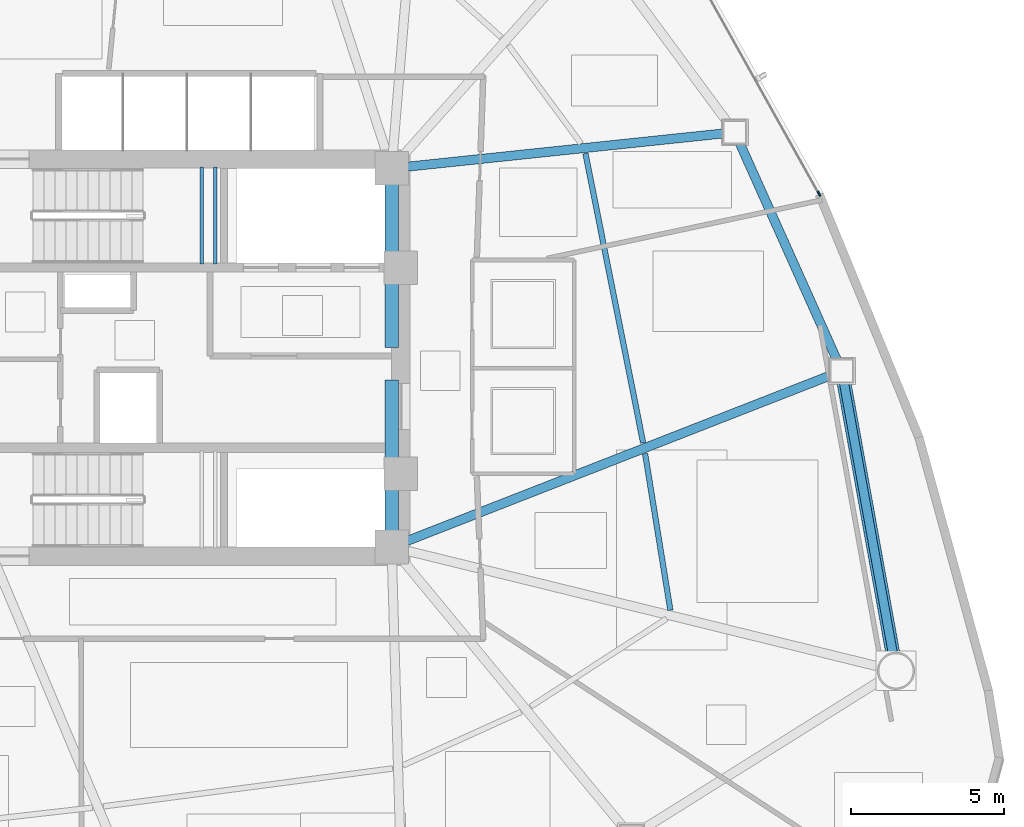
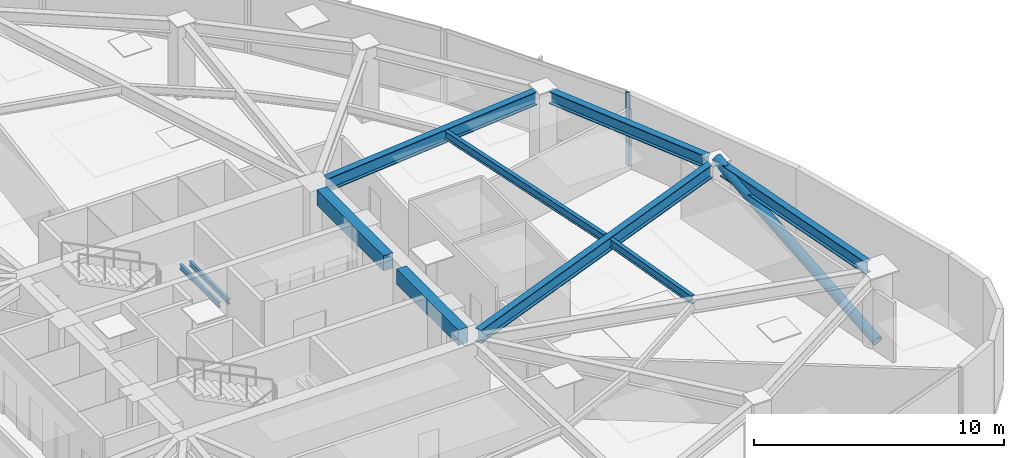
# One storey, part 6 of 16: 10 beams, 2 members, 1 element without a shape of its own.
"""IFC4 building model written with IfcOpenShell, lengths in metres."""

from ifc_helpers import new_model, si_unit, direction, frame, origin, origin_2d, place, context, subcontext, project, spatial, rectangle, hollow_rectangle, hollow_circle, i_section, extrude, source, transform, mapped, material, layer, layer_set, material_profile, profile_set, type_object, type_shapes, element, aggregate, save


model = new_model("IFC4")

# Units and contexts
model_context = context("Model", 3, precision=1e-05, world=origin(), true_north=direction((0.0, 1.0)))
body_context = subcontext(model_context, "Body", "Model", "MODEL_VIEW")
ifc_project = project(units=[si_unit("LENGTHUNIT", "METRE"), si_unit("AREAUNIT", "SQUARE_METRE"), si_unit("VOLUMEUNIT", "CUBIC_METRE"), si_unit("PLANEANGLEUNIT", "RADIAN"), si_unit("MASSUNIT", "GRAM", prefix="KILO")], contexts=[model_context])

# Site, building, storey
site_placement = place(None, origin())
site = spatial("IfcSite", under=ifc_project, at=site_placement, CompositionType="ELEMENT")
building_placement = place(site_placement, origin())
building = spatial("IfcBuilding", under=site, at=building_placement, Name="Tavelor Broadcast Tower", CompositionType="ELEMENT")
storey_placement = place(building_placement, frame((0.0, 0.0, 35.39990234375)))
storey = spatial("IfcBuildingStorey", under=building, at=storey_placement, Name="L07", CompositionType="ELEMENT", Elevation=35.39990234375)

# Beams
ifc_material_1 = material(Name="Concrete C40/50", Category="concrete")
ifc_material_profile_1 = material_profile(ifc_material_1, rectangle(XDim=0.449951171875, YDim=0.75, at=origin_2d()), Name="RC 450x750")
ifc_profile_set_1 = profile_set([ifc_material_profile_1], Name="Concrete C40/50")
beam_type_1 = type_object("IfcBeamType", Name="Basement Core Trim Beam 450x750", PredefinedType="BEAM", material=ifc_profile_set_1)
beam_1_placement = place(storey_placement, frame((56.60009765625, 45.327880859375, 3.22509765625), z_axis=(0.0, 1.0, 0.0), x_axis=(-1.0, 0.0, 0.0)))
element("IfcBeam", 1, at=beam_1_placement, inside=storey, type_object=beam_type_1, Name="L07 Core East-N Tie Girder", PredefinedType="BEAM", context=body_context, shape_type="SweptSolid", body=[
    extrude(rectangle(XDim=0.449951171875, YDim=0.75, at=origin_2d()), origin(), (0.0, 0.0, 1.0), 5.34423828125),
])
beam_2_placement = place(storey_placement, frame((56.60009765625, 39.327880859375, 3.22509765625), z_axis=(0.0, 1.0, 0.0), x_axis=(-1.0, 0.0, 0.0)))
element("IfcBeam", 2, at=beam_2_placement, inside=storey, type_object=beam_type_1, Name="L07 Core East-S Tie Girder", PredefinedType="BEAM", context=body_context, shape_type="SweptSolid", body=[
    extrude(rectangle(XDim=0.449951171875, YDim=0.75, at=origin_2d()), origin(), (0.0, 0.0, 1.0), 4.944091796875),
])
ifc_material_2 = material(Name="Steel S355", Category="steel")
ifc_material_profile_2 = material_profile(ifc_material_2, i_section(OverallWidth=0.179931640625, OverallDepth=0.39990234375, WebThickness=0.008544921875, FlangeThickness=0.013427734375, at=origin_2d()), Name="IPE 400")
ifc_profile_set_2 = profile_set([ifc_material_profile_2], Name="Steel S355")
beam_type_2 = type_object("IfcBeamType", Name="Composite Floor Joist T1 IPE 400", PredefinedType="JOIST", material=ifc_profile_set_2)
beam_3_placement = place(storey_placement, frame((65.728515625, 36.72998046875, 3.400146484375), z_axis=(-0.159264963379, 0.987235874267, 0.0), x_axis=(-0.987235874267, -0.159264963379, 0.0)))
element("IfcBeam", 3, at=beam_3_placement, inside=storey, type_object=beam_type_2, Name="L07 Secondary Composite Floor Joist 13", PredefinedType="JOIST", context=body_context, shape_type="SweptSolid", body=[
    extrude(i_section(OverallWidth=0.179931640625, OverallDepth=0.39990234375, WebThickness=0.008544921875, FlangeThickness=0.013427734375, at=origin_2d()), origin(), (0.0, 0.0, 1.0), 5.19189453125),
])
beam_4_placement = place(storey_placement, frame((64.83740234375, 42.2119140625, 3.400146484375), z_axis=(-0.195615567929, 0.980680656271, 0.0), x_axis=(-0.980680656271, -0.195615567929, 0.0)))
element("IfcBeam", 4, at=beam_4_placement, inside=storey, type_object=beam_type_2, Name="L07 Secondary Composite Floor Joist 14", PredefinedType="JOIST", context=body_context, shape_type="SweptSolid", body=[
    extrude(i_section(OverallWidth=0.179931640625, OverallDepth=0.39990234375, WebThickness=0.008544921875, FlangeThickness=0.013427734375, at=origin_2d()), origin(), (0.0, 0.0, 1.0), 9.661376953125),
])
ifc_material_profile_3 = material_profile(ifc_material_2, i_section(OverallWidth=0.300048828125, OverallDepth=0.60009765625, WebThickness=0.015380859375, FlangeThickness=0.030029296875, at=origin_2d()), Name="HEB 600")
ifc_profile_set_3 = profile_set([ifc_material_profile_3], Name="Steel S355")
beam_type_3 = type_object("IfcBeamType", Name="Perimeter Spandrel Beam T1 HEB 600", PredefinedType="SPANDREL", material=ifc_profile_set_3)
beam_5_placement = place(storey_placement, frame((73.013916015625, 35.31982421875, 3.300048828125), z_axis=(-0.177745578839, 0.984076475282, 0.0), x_axis=(-0.984076475282, -0.177745578839, 0.0)))
element("IfcBeam", 5, at=beam_5_placement, inside=storey, type_object=beam_type_3, Name="L07 Framed-Tube Ring Spandrel 13", PredefinedType="SPANDREL", context=body_context, shape_type="SweptSolid", body=[
    extrude(i_section(OverallWidth=0.300048828125, OverallDepth=0.60009765625, WebThickness=0.015380859375, FlangeThickness=0.030029296875, at=origin_2d()), origin(), (0.0, 0.0, 1.0), 9.010498046875),
])
beam_6_placement = place(storey_placement, frame((71.18701171875, 44.9150390625, 3.300048828125), z_axis=(-0.40892197507, 0.912569349861, 0.0), x_axis=(-0.912569349861, -0.40892197507, 0.0)))
element("IfcBeam", 6, at=beam_6_placement, inside=storey, type_object=beam_type_3, Name="L07 Framed-Tube Ring Spandrel 14", PredefinedType="SPANDREL", context=body_context, shape_type="SweptSolid", body=[
    extrude(i_section(OverallWidth=0.300048828125, OverallDepth=0.60009765625, WebThickness=0.015380859375, FlangeThickness=0.030029296875, at=origin_2d()), origin(), (0.0, 0.0, 1.0), 7.799072265625),
])

# Member
ifc_material_profile_4 = material_profile(ifc_material_2, hollow_circle(Radius=0.228515625, WallThickness=0.02001953125, at=origin_2d()), Name="CHS 457x20")
ifc_profile_set_4 = profile_set([ifc_material_profile_4], Name="Steel S355")
member_type_1 = type_object("IfcMemberType", Name="Perimeter Tube Brace T1 CHS 457x20", PredefinedType="BRACE", material=ifc_profile_set_4)
member_1_placement = place(storey_placement, frame((73.117919921875, 34.743896484375, 0.0), z_axis=(-0.167205980675, 0.925685078259, 0.339336552578), x_axis=(-0.984075144607, -0.177752945874, 0.0)))
element("IfcMember", 7, at=member_1_placement, inside=storey, type_object=member_type_1, Name="L07 Corner Tube Diagonal Brace 3", PredefinedType="BRACE", context=body_context, shape_type="SweptSolid", body=[
    extrude(hollow_circle(Radius=0.228515625, WallThickness=0.02001953125, at=origin_2d()), origin(), (0.0, 0.0, 1.0), 10.609130859375),
])

# Beams
ifc_material_profile_5 = material_profile(ifc_material_2, i_section(OverallWidth=0.300048828125, OverallDepth=0.64990234375, WebThickness=0.01611328125, FlangeThickness=0.031005859375, at=origin_2d()), Name="HEB 650")
ifc_profile_set_5 = profile_set([ifc_material_profile_5], Name="Steel S355")
beam_type_4 = type_object("IfcBeamType", Name="Radial Floor Girder T1 HEB 650", PredefinedType="BEAM", material=ifc_profile_set_5)
beam_7_placement = place(storey_placement, frame((57.091796875, 38.9921875, 3.275146484375), z_axis=(0.931344390249, 0.364139570429, 0.0), x_axis=(-0.364139570429, 0.931344390249, 0.0)))
element("IfcBeam", 8, at=beam_7_placement, inside=storey, type_object=beam_type_4, Name="L07 Radial Primary Floor Girder 14", PredefinedType="BEAM", context=body_context, shape_type="SweptSolid", body=[
    extrude(i_section(OverallWidth=0.300048828125, OverallDepth=0.64990234375, WebThickness=0.01611328125, FlangeThickness=0.031005859375, at=origin_2d()), origin(), (0.0, 0.0, 1.0), 14.9189453125),
])
beam_8_placement = place(storey_placement, frame((57.125, 51.255126953125, 3.275146484375), z_axis=(0.994511502262, 0.104627299822, 0.0), x_axis=(-0.104627299822, 0.994511502262, 0.0)))
element("IfcBeam", 9, at=beam_8_placement, inside=storey, type_object=beam_type_4, Name="L07 Radial Primary Floor Girder 15", PredefinedType="BEAM", context=body_context, shape_type="SweptSolid", body=[
    extrude(i_section(OverallWidth=0.300048828125, OverallDepth=0.64990234375, WebThickness=0.01611328125, FlangeThickness=0.031005859375, at=origin_2d()), origin(), (0.0, 0.0, 1.0), 10.390869140625),
])
ifc_material_profile_6 = material_profile(ifc_material_2, i_section(OverallWidth=0.1201171875, OverallDepth=0.239990234375, WebThickness=0.006103515625, FlangeThickness=0.009765625, at=origin_2d()), Name="IPE 240")
ifc_profile_set_6 = profile_set([ifc_material_profile_6], Name="Steel S355")
beam_type_5 = type_object("IfcBeamType", Name="Stairwell Landing Support Trimmer Beam IPE240", PredefinedType="BEAM", material=ifc_profile_set_6)
for number, where, z_axis, x_axis, name in (
    (10, (50.385009765625, 48.06005859375, 1.635009765625), (0.0, 1.0, 0.0), (-1.0, 0.0, 0.0), "L07 Stair Landing Support Beam 39"),
    (11, (50.824951171875, 48.06005859375, 1.635009765625), (0.0, 1.0, 0.0), (-1.0, 0.0, 0.0), "L07 Stair Landing Support Beam 40"),
):
    element("IfcBeam", number, at=place(storey_placement, frame(where, z_axis=z_axis, x_axis=x_axis)), inside=storey, type_object=beam_type_5, Name=name, PredefinedType="BEAM", context=body_context, shape_type="SweptSolid", body=[
        extrude(i_section(OverallWidth=0.1201171875, OverallDepth=0.239990234375, WebThickness=0.006103515625, FlangeThickness=0.009765625, at=origin_2d()), origin(), (0.0, 0.0, 1.0), 3.179931640625),
    ])

# Curtain wall, member
ifc_material_3 = material(Name="Architectural Anodized Aluminium", Category="aluminium")
ifc_layer = layer(ifc_material_3, 0.179931640625)
ifc_layer_set = layer_set([ifc_layer], Name="Architectural Anodized Aluminium")
curtain_wall_type = type_object("IfcCurtainWallType", Name="Tower Low-Zone Unitised Curtain Wall CW02", PredefinedType="NOTDEFINED", material=ifc_layer_set)
curtain_wall_placement = place(storey_placement, origin())
curtain_wall = element("IfcCurtainWall", 12, at=curtain_wall_placement, inside=storey, type_object=curtain_wall_type, Name="L07 Curtain Wall CW02 Run 45", PredefinedType="NOTDEFINED")
ifc_material_profile_7 = material_profile(ifc_material_3, hollow_rectangle(XDim=0.06494140625, YDim=0.179931640625, WallThickness=0.02197265625, at=origin_2d()), Name="RHS 65x180x22")
ifc_profile_set_7 = profile_set([ifc_material_profile_7], Name="Architectural Anodized Aluminium")
member_type_2 = type_object("IfcMemberType", Name="CW02 Extruded Aluminium Mullion 65x180", PredefinedType="MULLION", material=ifc_profile_set_7)
shared_shape = source(origin(), body_context, "Body", "SweptSolid", [
    extrude(hollow_rectangle(XDim=0.06494140625, YDim=0.179931640625, WallThickness=0.02197265625, at=origin_2d()), origin(), (0.0, 0.0, 1.0), 3.60009765625),
])
type_shapes(member_type_2, [shared_shape])
member_2_placement = place(storey_placement, frame((70.597412109375, 50.37060546875, 0.0), z_axis=(0.0, 0.0, 1.0), x_axis=(-0.872709111979, -0.488240520511, 0.0)))
member_2 = element("IfcMember", 13, at=member_2_placement, type_object=member_type_2, Name="CW02 mullion 1", PredefinedType="MULLION", context=body_context, shape_type="MappedRepresentation", body=[
    mapped(shared_shape, transform((0.0, 0.0, 0.0), scale=1.0)),
])
aggregate(curtain_wall, [member_2])

save(model, "model.ifc")
